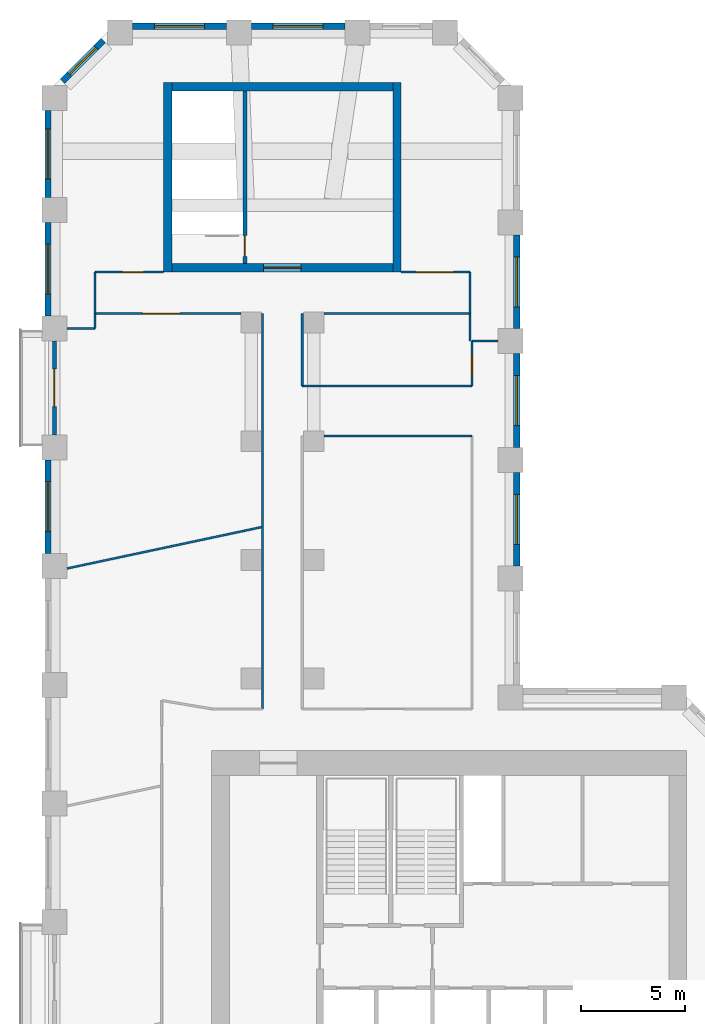
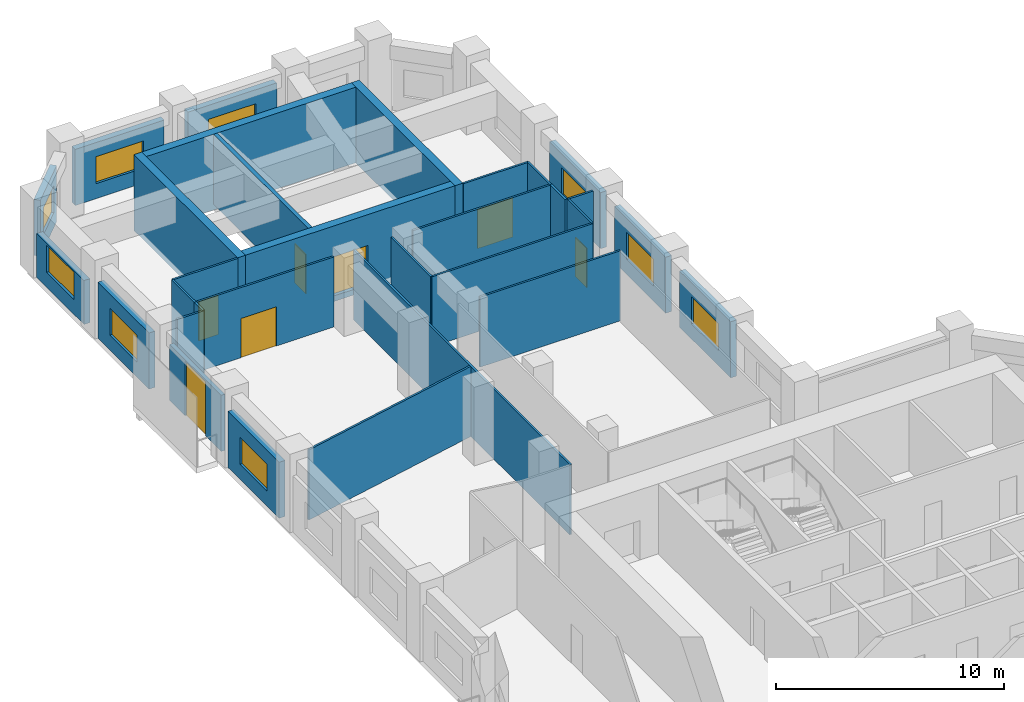
# One storey, part 8 of 10: 31 walls, 9 windows, 7 doors, 16 openings.
"""IFC4 building model written with IfcOpenShell, lengths in metres."""

from ifc_helpers import new_model, si_unit, direction, frame, frame_2d, origin, place, context, subcontext, project, spatial, rectangle, extrude, material, layer, layer_set, type_object, element, fill, save


model = new_model("IFC4")

# Units and contexts
model_context = context("Model", 3, precision=1e-05, world=origin(), true_north=direction((0.0, 1.0)))
body_context = subcontext(model_context, "Body", "Model", "MODEL_VIEW")
ifc_project = project(units=[si_unit("LENGTHUNIT", "METRE"), si_unit("AREAUNIT", "SQUARE_METRE"), si_unit("VOLUMEUNIT", "CUBIC_METRE"), si_unit("PLANEANGLEUNIT", "RADIAN"), si_unit("MASSUNIT", "GRAM", prefix="KILO")], contexts=[model_context])

# Site, building, storey
site_placement = place(None, origin())
site = spatial("IfcSite", under=ifc_project, at=site_placement, CompositionType="ELEMENT")
building_placement = place(site_placement, origin())
building = spatial("IfcBuilding", under=site, at=building_placement, Name="Meshkara Civic Tower", CompositionType="ELEMENT")
storey_placement = place(building_placement, frame((0.0, 0.0, 216.0)))
storey = spatial("IfcBuildingStorey", under=building, at=storey_placement, Name="L49", CompositionType="ELEMENT", Elevation=216.0)

# Wall, opening, door
ifc_material_1 = material(Name="Corridor wall 100")
ifc_layer_1 = layer(ifc_material_1, 0.10009765625)
ifc_layer_set_1 = layer_set([ifc_layer_1], Name="Corridor wall 100")
wall_type_1 = type_object("IfcWallType", Name="Corridor wall 100", PredefinedType="PARTITIONING", material=ifc_layer_set_1)
wall_1_placement = place(storey_placement, frame((2.39990234375, 57.8701171875, 0.0), z_axis=(0.0, 0.0, 1.0), x_axis=(1.0, 0.0, 0.0)))
wall_1 = element("IfcWall", 1, at=wall_1_placement, inside=storey, type_object=wall_type_1, Name="L49-W001", PredefinedType="PARTITIONING", context=body_context, shape_type="SweptSolid", body=[
    extrude(rectangle(XDim=7.0, YDim=0.10009765625, at=frame_2d((3.5, 0.0))), origin(), (0.0, 0.0, 1.0), 3.75),
])
opening_1_placement = place(wall_1_placement, frame((2.280029296875, 0.0, 0.0)))
opening_1 = element("IfcOpeningElement", 2, at=opening_1_placement, cuts=wall_1, Name="Opening L49-D020", PredefinedType="OPENING", context=body_context, shape_type="SweptSolid", body=[
    extrude(rectangle(XDim=1.800048828125, YDim=2.10009765625, at=frame_2d((0.89990234375, 1.050048828125))), frame((0.0, 0.06005859375, 0.0), z_axis=(0.0, -1.0, 0.0), x_axis=(1.0, 0.0, 0.0)), (0.0, 0.0, 1.0), 0.1201171875),
])
ifc_material_2 = material(Name="Door pair 1800 x 2100")
door_type_1 = type_object("IfcDoorType", Name="Door pair 1800 x 2100", OperationType="SINGLE_SWING_LEFT", PredefinedType="DOOR", material=ifc_material_2)
door_1_placement = place(opening_1_placement, origin())
door_1 = element("IfcDoor", 3, at=door_1_placement, inside=storey, type_object=door_type_1, Name="L49-D020", OperationType="DOUBLE_DOOR_SINGLE_SWING", OverallHeight=2.10009765625, OverallWidth=1.800048828125, PredefinedType="DOOR", context=body_context, shape_type="SweptSolid", body=[
    extrude(rectangle(XDim=1.800048828125, YDim=2.10009765625, at=frame_2d((0.89990234375, 1.050048828125))), frame((0.0, 0.02490234375, 0.0), z_axis=(0.0, -1.0, 0.0), x_axis=(1.0, 0.0, 0.0)), (0.0, 0.0, 1.0), 0.050048828125),
])
fill(opening_1, door_1)

# Wall
wall_2_placement = place(storey_placement, frame((2.39990234375, 59.8701171875, 0.0), z_axis=(0.0, 0.0, 1.0), x_axis=(0.0, -1.0, 0.0)))
element("IfcWall", 4, at=wall_2_placement, inside=storey, type_object=wall_type_1, Name="L49-W002", PredefinedType="PARTITIONING", context=body_context, shape_type="SweptSolid", body=[
    extrude(rectangle(XDim=2.0, YDim=0.10009765625, at=frame_2d((1.0, 0.0))), origin(), (0.0, 0.0, 1.0), 3.75),
])

# Wall, opening, door
wall_3_placement = place(storey_placement, frame((5.699951171875, 59.8701171875, 0.0), z_axis=(0.0, 0.0, 1.0), x_axis=(-1.0, 0.0, 0.0)))
wall_3 = element("IfcWall", 5, at=wall_3_placement, inside=storey, type_object=wall_type_1, Name="L49-W005", PredefinedType="PARTITIONING", context=body_context, shape_type="SweptSolid", body=[
    extrude(rectangle(XDim=3.300048828125, YDim=0.10009765625, at=frame_2d((1.64990234375, 0.0))), origin(), (0.0, 0.0, 1.0), 3.75),
])
opening_2_placement = place(wall_3_placement, frame((0.97998046875, 0.0, 0.0)))
opening_2 = element("IfcOpeningElement", 6, at=opening_2_placement, cuts=wall_3, Name="Opening L49-D019", PredefinedType="OPENING", context=body_context, shape_type="SweptSolid", body=[
    extrude(rectangle(XDim=1.0, YDim=2.10009765625, at=frame_2d((0.5, 1.050048828125))), frame((0.0, 0.06005859375, 0.0), z_axis=(0.0, -1.0, 0.0), x_axis=(1.0, 0.0, 0.0)), (0.0, 0.0, 1.0), 0.1201171875),
])
ifc_material_3 = material(Name="Door 1000 x 2100")
door_type_2 = type_object("IfcDoorType", Name="Door 1000 x 2100", OperationType="SINGLE_SWING_LEFT", PredefinedType="DOOR", material=ifc_material_3)
door_2_placement = place(opening_2_placement, origin())
door_2 = element("IfcDoor", 7, at=door_2_placement, inside=storey, type_object=door_type_2, Name="L49-D019", OperationType="SINGLE_SWING_RIGHT", OverallHeight=2.10009765625, OverallWidth=1.0, PredefinedType="DOOR", context=body_context, shape_type="SweptSolid", body=[
    extrude(rectangle(XDim=1.0, YDim=2.10009765625, at=frame_2d((0.5, 1.050048828125))), frame((0.0, 0.02490234375, 0.0), z_axis=(0.0, -1.0, 0.0), x_axis=(1.0, 0.0, 0.0)), (0.0, 0.0, 1.0), 0.050048828125),
])
fill(opening_2, door_2)

# Walls
wall_4_placement = place(storey_placement, frame((10.449951171875, 57.8701171875, 0.0), z_axis=(0.0, 0.0, 1.0), x_axis=(0.0, -1.0, 0.0)))
element("IfcWall", 8, at=wall_4_placement, inside=storey, type_object=wall_type_1, Name="L49-W013", PredefinedType="PARTITIONING", context=body_context, shape_type="SweptSolid", body=[
    extrude(rectangle(XDim=18.97021484375, YDim=0.10009765625, at=frame_2d((9.485107421875, 0.0))), origin(), (0.0, 0.0, 1.0), 3.75),
])
wall_5_placement = place(storey_placement, frame((12.35009765625, 54.39990234375, 0.0), z_axis=(0.0, 0.0, 1.0), x_axis=(0.0, 1.0, 0.0)))
element("IfcWall", 9, at=wall_5_placement, inside=storey, type_object=wall_type_1, Name="L49-W015", PredefinedType="PARTITIONING", context=body_context, shape_type="SweptSolid", body=[
    extrude(rectangle(XDim=3.47021484375, YDim=0.10009765625, at=frame_2d((1.735107421875, 0.0))), origin(), (0.0, 0.0, 1.0), 3.75),
])
wall_6_placement = place(storey_placement, frame((13.39990234375, 52.0, 0.0), z_axis=(0.0, 0.0, 1.0), x_axis=(1.0, 0.0, 0.0)))
element("IfcWall", 10, at=wall_6_placement, inside=storey, type_object=wall_type_1, Name="L49-W017", PredefinedType="PARTITIONING", context=body_context, shape_type="SweptSolid", body=[
    extrude(rectangle(XDim=7.10009765625, YDim=0.10009765625, at=frame_2d((3.550048828125, 0.0))), origin(), (0.0, 0.0, 1.0), 3.75),
])
wall_7_placement = place(storey_placement, frame((13.39990234375, 57.8701171875, 0.0), z_axis=(0.0, 0.0, 1.0), x_axis=(1.0, 0.0, 0.0)))
element("IfcWall", 11, at=wall_7_placement, inside=storey, type_object=wall_type_1, Name="L49-W018", PredefinedType="PARTITIONING", context=body_context, shape_type="SweptSolid", body=[
    extrude(rectangle(XDim=7.0, YDim=0.10009765625, at=frame_2d((3.5, 0.0))), origin(), (0.0, 0.0, 1.0), 3.75),
])
wall_8_placement = place(storey_placement, frame((20.39990234375, 57.8701171875, 0.0), z_axis=(0.0, 0.0, 1.0), x_axis=(0.0, 1.0, 0.0)))
element("IfcWall", 12, at=wall_8_placement, inside=storey, type_object=wall_type_1, Name="L49-W019", PredefinedType="PARTITIONING", context=body_context, shape_type="SweptSolid", body=[
    extrude(rectangle(XDim=2.0, YDim=0.10009765625, at=frame_2d((1.0, 0.0))), origin(), (0.0, 0.0, 1.0), 3.75),
])

# Wall, opening, door
wall_9_placement = place(storey_placement, frame((20.39990234375, 59.8701171875, 0.0), z_axis=(0.0, 0.0, 1.0), x_axis=(-1.0, 0.0, 0.0)))
wall_9 = element("IfcWall", 13, at=wall_9_placement, inside=storey, type_object=wall_type_1, Name="L49-W020", PredefinedType="PARTITIONING", context=body_context, shape_type="SweptSolid", body=[
    extrude(rectangle(XDim=3.2998046875, YDim=0.10009765625, at=frame_2d((1.64990234375, 0.0))), origin(), (0.0, 0.0, 1.0), 3.75),
])
opening_3_placement = place(wall_9_placement, frame((0.780029296875, 0.0, 0.0)))
opening_3 = element("IfcOpeningElement", 14, at=opening_3_placement, cuts=wall_9, Name="Opening L49-D021", PredefinedType="OPENING", context=body_context, shape_type="SweptSolid", body=[
    extrude(rectangle(XDim=1.800048828125, YDim=2.10009765625, at=frame_2d((0.89990234375, 1.050048828125))), frame((0.0, 0.06005859375, 0.0), z_axis=(0.0, -1.0, 0.0), x_axis=(1.0, 0.0, 0.0)), (0.0, 0.0, 1.0), 0.1201171875),
])
door_3_placement = place(opening_3_placement, origin())
door_3 = element("IfcDoor", 15, at=door_3_placement, inside=storey, type_object=door_type_1, Name="L49-D021", OperationType="DOUBLE_DOOR_SINGLE_SWING", OverallHeight=2.10009765625, OverallWidth=1.800048828125, PredefinedType="DOOR", context=body_context, shape_type="SweptSolid", body=[
    extrude(rectangle(XDim=1.800048828125, YDim=2.10009765625, at=frame_2d((0.89990234375, 1.050048828125))), frame((0.0, 0.02490234375, 0.0), z_axis=(0.0, -1.0, 0.0), x_axis=(1.0, 0.0, 0.0)), (0.0, 0.0, 1.0), 0.050048828125),
])
fill(opening_3, door_3)

# Wall
wall_10_placement = place(storey_placement, frame((20.5, 54.39990234375, 0.0), z_axis=(0.0, 0.0, 1.0), x_axis=(-1.0, 0.0, 0.0)))
element("IfcWall", 16, at=wall_10_placement, inside=storey, type_object=wall_type_1, Name="L49-W023", PredefinedType="PARTITIONING", context=body_context, shape_type="SweptSolid", body=[
    extrude(rectangle(XDim=8.14990234375, YDim=0.10009765625, at=frame_2d((4.074951171875, 0.0))), origin(), (0.0, 0.0, 1.0), 3.75),
])

# Wall, opening, door
wall_11_placement = place(storey_placement, frame((20.5, 56.550048828125, 0.0), z_axis=(0.0, 0.0, 1.0), x_axis=(0.0, -1.0, 0.0)))
wall_11 = element("IfcWall", 17, at=wall_11_placement, inside=storey, type_object=wall_type_1, Name="L49-W024", PredefinedType="PARTITIONING", context=body_context, shape_type="SweptSolid", body=[
    extrude(rectangle(XDim=2.150146484375, YDim=0.10009765625, at=frame_2d((1.0751953125, 0.0))), origin(), (0.0, 0.0, 1.0), 3.75),
])
opening_4_placement = place(wall_11_placement, frame((0.679931640625, 0.0, 0.0)))
opening_4 = element("IfcOpeningElement", 18, at=opening_4_placement, cuts=wall_11, Name="Opening L49-D022", PredefinedType="OPENING", context=body_context, shape_type="SweptSolid", body=[
    extrude(rectangle(XDim=1.0, YDim=2.10009765625, at=frame_2d((0.5, 1.050048828125))), frame((0.0, 0.06005859375, 0.0), z_axis=(0.0, -1.0, 0.0), x_axis=(1.0, 0.0, 0.0)), (0.0, 0.0, 1.0), 0.1201171875),
])
door_4_placement = place(opening_4_placement, origin())
door_4 = element("IfcDoor", 19, at=door_4_placement, inside=storey, type_object=door_type_2, Name="L49-D022", OperationType="SINGLE_SWING_LEFT", OverallHeight=2.10009765625, OverallWidth=1.0, PredefinedType="DOOR", context=body_context, shape_type="SweptSolid", body=[
    extrude(rectangle(XDim=1.0, YDim=2.10009765625, at=frame_2d((0.5, 1.050048828125))), frame((0.0, 0.02490234375, 0.0), z_axis=(0.0, -1.0, 0.0), x_axis=(1.0, 0.0, 0.0)), (0.0, 0.0, 1.0), 0.050048828125),
])
fill(opening_4, door_4)

# Wall
wall_12_placement = place(storey_placement, frame((21.75, 56.550048828125, 0.0), z_axis=(0.0, 0.0, 1.0), x_axis=(-1.0, 0.0, 0.0)))
element("IfcWall", 20, at=wall_12_placement, inside=storey, type_object=wall_type_1, Name="L49-W025", PredefinedType="PARTITIONING", context=body_context, shape_type="SweptSolid", body=[
    extrude(rectangle(XDim=1.25, YDim=0.10009765625, at=frame_2d((0.625, 0.0))), origin(), (0.0, 0.0, 1.0), 3.75),
])

# Wall, opening, window
ifc_material_4 = material(Name="Insulated infill panel with bronze anodised aluminium cladding", Category="aluminium")
ifc_layer_2 = layer(ifc_material_4, 0.300048828125)
ifc_layer_set_2 = layer_set([ifc_layer_2], Name="EXTERNAL INFILL WALL 300")
wall_type_2 = type_object("IfcWallType", Name="EXTERNAL INFILL WALL 300", PredefinedType="SOLIDWALL", material=ifc_layer_set_2)
wall_13_placement = place(storey_placement, frame((22.64990234375, 45.75, 0.0), z_axis=(0.0, 0.0, 1.0), x_axis=(0.0, 1.0, 0.0)))
wall_13 = element("IfcWall", 21, at=wall_13_placement, inside=storey, type_object=wall_type_2, Name="External wall", PredefinedType="SOLIDWALL", context=body_context, shape_type="SweptSolid", body=[
    extrude(rectangle(XDim=4.5, YDim=0.300048828125, at=frame_2d((2.25, 0.0))), origin(), (0.0, 0.0, 1.0), 3.0),
])
opening_5_placement = place(wall_13_placement, frame((1.050048828125, 0.0, 0.800048828125)))
opening_5 = element("IfcOpeningElement", 22, at=opening_5_placement, cuts=wall_13, Name="Opening W8", PredefinedType="OPENING", context=body_context, shape_type="SweptSolid", body=[
    extrude(rectangle(XDim=2.39990234375, YDim=1.449951171875, at=frame_2d((1.199951171875, 0.72509765625))), frame((0.0, 0.159912109375, 0.0), z_axis=(0.0, -1.0, 0.0), x_axis=(1.0, 0.0, 0.0)), (0.0, 0.0, 1.0), 0.320068359375),
])
ifc_material_5 = material(Name="Tinted double glazing", Category="glass")
window_type_1 = type_object("IfcWindowType", Name="WINDOW 2400x1450", PartitioningType="DOUBLE_PANEL_VERTICAL", PredefinedType="WINDOW", material=ifc_material_5)
window_1_placement = place(opening_5_placement, origin())
window_1 = element("IfcWindow", 23, at=window_1_placement, inside=storey, type_object=window_type_1, Name="Window", OverallHeight=1.449951171875, OverallWidth=2.39990234375, PartitioningType="DOUBLE_PANEL_VERTICAL", PredefinedType="WINDOW", context=body_context, shape_type="SweptSolid", body=[
    extrude(rectangle(XDim=2.39990234375, YDim=1.449951171875, at=frame_2d((1.199951171875, 0.72509765625))), frame((0.0, 0.030029296875, 0.0), z_axis=(0.0, -1.0, 0.0), x_axis=(1.0, 0.0, 0.0)), (0.0, 0.0, 1.0), 0.06005859375),
])
fill(opening_5, window_1)

wall_14_placement = place(storey_placement, frame((22.64990234375, 51.449951171875, 0.0), z_axis=(0.0, 0.0, 1.0), x_axis=(0.0, 1.0, 0.0)))
wall_14 = element("IfcWall", 24, at=wall_14_placement, inside=storey, type_object=wall_type_2, Name="External wall", PredefinedType="SOLIDWALL", context=body_context, shape_type="SweptSolid", body=[
    extrude(rectangle(XDim=4.5, YDim=0.300048828125, at=frame_2d((2.25, 0.0))), origin(), (0.0, 0.0, 1.0), 3.0),
])
opening_6_placement = place(wall_14_placement, frame((1.050048828125, 0.0, 0.800048828125)))
opening_6 = element("IfcOpeningElement", 25, at=opening_6_placement, cuts=wall_14, Name="Opening W8", PredefinedType="OPENING", context=body_context, shape_type="SweptSolid", body=[
    extrude(rectangle(XDim=2.39990234375, YDim=1.449951171875, at=frame_2d((1.199951171875, 0.72509765625))), frame((0.0, 0.159912109375, 0.0), z_axis=(0.0, -1.0, 0.0), x_axis=(1.0, 0.0, 0.0)), (0.0, 0.0, 1.0), 0.320068359375),
])
window_2_placement = place(opening_6_placement, origin())
window_2 = element("IfcWindow", 26, at=window_2_placement, inside=storey, type_object=window_type_1, Name="Window", OverallHeight=1.449951171875, OverallWidth=2.39990234375, PartitioningType="DOUBLE_PANEL_VERTICAL", PredefinedType="WINDOW", context=body_context, shape_type="SweptSolid", body=[
    extrude(rectangle(XDim=2.39990234375, YDim=1.449951171875, at=frame_2d((1.199951171875, 0.72509765625))), frame((0.0, 0.030029296875, 0.0), z_axis=(0.0, -1.0, 0.0), x_axis=(1.0, 0.0, 0.0)), (0.0, 0.0, 1.0), 0.06005859375),
])
fill(opening_6, window_2)

wall_15_placement = place(storey_placement, frame((22.64990234375, 57.14990234375, 0.0), z_axis=(0.0, 0.0, 1.0), x_axis=(0.0, 1.0, 0.0)))
wall_15 = element("IfcWall", 27, at=wall_15_placement, inside=storey, type_object=wall_type_2, Name="External wall", PredefinedType="SOLIDWALL", context=body_context, shape_type="SweptSolid", body=[
    extrude(rectangle(XDim=4.5, YDim=0.300048828125, at=frame_2d((2.25, 0.0))), origin(), (0.0, 0.0, 1.0), 3.0),
])
opening_7_placement = place(wall_15_placement, frame((1.050048828125, 0.0, 0.800048828125)))
opening_7 = element("IfcOpeningElement", 28, at=opening_7_placement, cuts=wall_15, Name="Opening W8", PredefinedType="OPENING", context=body_context, shape_type="SweptSolid", body=[
    extrude(rectangle(XDim=2.39990234375, YDim=1.449951171875, at=frame_2d((1.199951171875, 0.72509765625))), frame((0.0, 0.159912109375, 0.0), z_axis=(0.0, -1.0, 0.0), x_axis=(1.0, 0.0, 0.0)), (0.0, 0.0, 1.0), 0.320068359375),
])
window_3_placement = place(opening_7_placement, origin())
window_3 = element("IfcWindow", 29, at=window_3_placement, inside=storey, type_object=window_type_1, Name="Window", OverallHeight=1.449951171875, OverallWidth=2.39990234375, PartitioningType="DOUBLE_PANEL_VERTICAL", PredefinedType="WINDOW", context=body_context, shape_type="SweptSolid", body=[
    extrude(rectangle(XDim=2.39990234375, YDim=1.449951171875, at=frame_2d((1.199951171875, 0.72509765625))), frame((0.0, 0.030029296875, 0.0), z_axis=(0.0, -1.0, 0.0), x_axis=(1.0, 0.0, 0.0)), (0.0, 0.0, 1.0), 0.06005859375),
])
fill(opening_7, window_3)

wall_16_placement = place(storey_placement, frame((14.406005859375, 71.669921875, 0.0), z_axis=(0.0, 0.0, 1.0), x_axis=(-1.0, 0.0, 0.0)))
wall_16 = element("IfcWall", 30, at=wall_16_placement, inside=storey, type_object=wall_type_2, Name="External wall", PredefinedType="SOLIDWALL", context=body_context, shape_type="SweptSolid", body=[
    extrude(rectangle(XDim=4.5, YDim=0.300048828125, at=frame_2d((2.25, 0.0))), origin(), (0.0, 0.0, 1.0), 3.0),
])
opening_8_placement = place(wall_16_placement, frame((1.050048828125, 0.0, 0.800048828125)))
opening_8 = element("IfcOpeningElement", 31, at=opening_8_placement, cuts=wall_16, Name="Opening W8", PredefinedType="OPENING", context=body_context, shape_type="SweptSolid", body=[
    extrude(rectangle(XDim=2.39990234375, YDim=1.449951171875, at=frame_2d((1.199951171875, 0.72509765625))), frame((0.0, 0.159912109375, 0.0), z_axis=(0.0, -1.0, 0.0), x_axis=(1.0, 0.0, 0.0)), (0.0, 0.0, 1.0), 0.320068359375),
])
window_4_placement = place(opening_8_placement, origin())
window_4 = element("IfcWindow", 32, at=window_4_placement, inside=storey, type_object=window_type_1, Name="Window", OverallHeight=1.449951171875, OverallWidth=2.39990234375, PartitioningType="DOUBLE_PANEL_VERTICAL", PredefinedType="WINDOW", context=body_context, shape_type="SweptSolid", body=[
    extrude(rectangle(XDim=2.39990234375, YDim=1.449951171875, at=frame_2d((1.199951171875, 0.72509765625))), frame((0.0, 0.030029296875, 0.0), z_axis=(0.0, -1.0, 0.0), x_axis=(1.0, 0.0, 0.0)), (0.0, 0.0, 1.0), 0.06005859375),
])
fill(opening_8, window_4)

wall_17_placement = place(storey_placement, frame((8.7060546875, 71.669921875, 0.0), z_axis=(0.0, 0.0, 1.0), x_axis=(-1.0, 0.0, 0.0)))
wall_17 = element("IfcWall", 33, at=wall_17_placement, inside=storey, type_object=wall_type_2, Name="External wall", PredefinedType="SOLIDWALL", context=body_context, shape_type="SweptSolid", body=[
    extrude(rectangle(XDim=4.5, YDim=0.300048828125, at=frame_2d((2.25, 0.0))), origin(), (0.0, 0.0, 1.0), 3.0),
])
opening_9_placement = place(wall_17_placement, frame((1.050048828125, 0.0, 0.800048828125)))
opening_9 = element("IfcOpeningElement", 34, at=opening_9_placement, cuts=wall_17, Name="Opening W8", PredefinedType="OPENING", context=body_context, shape_type="SweptSolid", body=[
    extrude(rectangle(XDim=2.39990234375, YDim=1.449951171875, at=frame_2d((1.199951171875, 0.72509765625))), frame((0.0, 0.159912109375, 0.0), z_axis=(0.0, -1.0, 0.0), x_axis=(1.0, 0.0, 0.0)), (0.0, 0.0, 1.0), 0.320068359375),
])
window_5_placement = place(opening_9_placement, origin())
window_5 = element("IfcWindow", 35, at=window_5_placement, inside=storey, type_object=window_type_1, Name="Window", OverallHeight=1.449951171875, OverallWidth=2.39990234375, PartitioningType="DOUBLE_PANEL_VERTICAL", PredefinedType="WINDOW", context=body_context, shape_type="SweptSolid", body=[
    extrude(rectangle(XDim=2.39990234375, YDim=1.449951171875, at=frame_2d((1.199951171875, 0.72509765625))), frame((0.0, 0.030029296875, 0.0), z_axis=(0.0, -1.0, 0.0), x_axis=(1.0, 0.0, 0.0)), (0.0, 0.0, 1.0), 0.06005859375),
])
fill(opening_9, window_5)

wall_18_placement = place(storey_placement, frame((2.7939453125, 70.98193359375, 0.0), z_axis=(0.0, 0.0, 1.0), x_axis=(-0.707106781187, -0.707106781187, 0.0)))
wall_18 = element("IfcWall", 36, at=wall_18_placement, inside=storey, type_object=wall_type_2, Name="External wall", PredefinedType="SOLIDWALL", context=body_context, shape_type="SweptSolid", body=[
    extrude(rectangle(XDim=2.766357421875, YDim=0.300048828125, at=frame_2d((1.38330078125, 0.0))), origin(), (0.0, 0.0, 1.0), 3.0),
])
opening_10_placement = place(wall_18_placement, frame((0.48291015625, 0.0, 0.800048828125)))
opening_10 = element("IfcOpeningElement", 37, at=opening_10_placement, cuts=wall_18, Name="Opening W10", PredefinedType="OPENING", context=body_context, shape_type="SweptSolid", body=[
    extrude(rectangle(XDim=1.800048828125, YDim=1.449951171875, at=frame_2d((0.89990234375, 0.72509765625))), frame((0.0, 0.159912109375, 0.0), z_axis=(0.0, -1.0, 0.0), x_axis=(1.0, 0.0, 0.0)), (0.0, 0.0, 1.0), 0.320068359375),
])
ifc_material_6 = material(Name="Tinted double glazing", Category="glass")
window_type_2 = type_object("IfcWindowType", Name="WINDOW 1800x1450", PartitioningType="DOUBLE_PANEL_VERTICAL", PredefinedType="WINDOW", material=ifc_material_6)
window_6_placement = place(opening_10_placement, origin())
window_6 = element("IfcWindow", 38, at=window_6_placement, inside=storey, type_object=window_type_2, Name="Window", OverallHeight=1.449951171875, OverallWidth=1.800048828125, PartitioningType="DOUBLE_PANEL_VERTICAL", PredefinedType="WINDOW", context=body_context, shape_type="SweptSolid", body=[
    extrude(rectangle(XDim=1.800048828125, YDim=1.449951171875, at=frame_2d((0.89990234375, 0.72509765625))), frame((0.0, 0.030029296875, 0.0), z_axis=(0.0, -1.0, 0.0), x_axis=(1.0, 0.0, 0.0)), (0.0, 0.0, 1.0), 0.06005859375),
])
fill(opening_10, window_6)

wall_19_placement = place(storey_placement, frame((0.14990234375, 67.614013671875, 0.0), z_axis=(0.0, 0.0, 1.0), x_axis=(0.0, -1.0, 0.0)))
wall_19 = element("IfcWall", 39, at=wall_19_placement, inside=storey, type_object=wall_type_2, Name="External wall", PredefinedType="SOLIDWALL", context=body_context, shape_type="SweptSolid", body=[
    extrude(rectangle(XDim=4.158935546875, YDim=0.300048828125, at=frame_2d((2.07958984375, 0.0))), origin(), (0.0, 0.0, 1.0), 2.35009765625),
])
opening_11_placement = place(wall_19_placement, frame((0.8798828125, 0.0, 0.800048828125)))
opening_11 = element("IfcOpeningElement", 40, at=opening_11_placement, cuts=wall_19, Name="Opening W8", PredefinedType="OPENING", context=body_context, shape_type="SweptSolid", body=[
    extrude(rectangle(XDim=2.39990234375, YDim=1.449951171875, at=frame_2d((1.199951171875, 0.72509765625))), frame((0.0, 0.159912109375, 0.0), z_axis=(0.0, -1.0, 0.0), x_axis=(1.0, 0.0, 0.0)), (0.0, 0.0, 1.0), 0.320068359375),
])
window_7_placement = place(opening_11_placement, origin())
window_7 = element("IfcWindow", 41, at=window_7_placement, inside=storey, type_object=window_type_1, Name="Window", OverallHeight=1.449951171875, OverallWidth=2.39990234375, PartitioningType="DOUBLE_PANEL_VERTICAL", PredefinedType="WINDOW", context=body_context, shape_type="SweptSolid", body=[
    extrude(rectangle(XDim=2.39990234375, YDim=1.449951171875, at=frame_2d((1.199951171875, 0.72509765625))), frame((0.0, 0.030029296875, 0.0), z_axis=(0.0, -1.0, 0.0), x_axis=(1.0, 0.0, 0.0)), (0.0, 0.0, 1.0), 0.06005859375),
])
fill(opening_11, window_7)

wall_20_placement = place(storey_placement, frame((0.14990234375, 62.2548828125, 0.0), z_axis=(0.0, 0.0, 1.0), x_axis=(0.0, -1.0, 0.0)))
wall_20 = element("IfcWall", 42, at=wall_20_placement, inside=storey, type_object=wall_type_2, Name="External wall", PredefinedType="SOLIDWALL", context=body_context, shape_type="SweptSolid", body=[
    extrude(rectangle(XDim=4.5, YDim=0.300048828125, at=frame_2d((2.25, 0.0))), origin(), (0.0, 0.0, 1.0), 3.0),
])
opening_12_placement = place(wall_20_placement, frame((1.050048828125, 0.0, 0.800048828125)))
opening_12 = element("IfcOpeningElement", 43, at=opening_12_placement, cuts=wall_20, Name="Opening W8", PredefinedType="OPENING", context=body_context, shape_type="SweptSolid", body=[
    extrude(rectangle(XDim=2.39990234375, YDim=1.449951171875, at=frame_2d((1.199951171875, 0.72509765625))), frame((0.0, 0.159912109375, 0.0), z_axis=(0.0, -1.0, 0.0), x_axis=(1.0, 0.0, 0.0)), (0.0, 0.0, 1.0), 0.320068359375),
])
window_8_placement = place(opening_12_placement, origin())
window_8 = element("IfcWindow", 44, at=window_8_placement, inside=storey, type_object=window_type_1, Name="Window", OverallHeight=1.449951171875, OverallWidth=2.39990234375, PartitioningType="DOUBLE_PANEL_VERTICAL", PredefinedType="WINDOW", context=body_context, shape_type="SweptSolid", body=[
    extrude(rectangle(XDim=2.39990234375, YDim=1.449951171875, at=frame_2d((1.199951171875, 0.72509765625))), frame((0.0, 0.030029296875, 0.0), z_axis=(0.0, -1.0, 0.0), x_axis=(1.0, 0.0, 0.0)), (0.0, 0.0, 1.0), 0.06005859375),
])
fill(opening_12, window_8)

wall_21_placement = place(storey_placement, frame((0.14990234375, 50.85498046875, 0.0), z_axis=(0.0, 0.0, 1.0), x_axis=(0.0, -1.0, 0.0)))
wall_21 = element("IfcWall", 45, at=wall_21_placement, inside=storey, type_object=wall_type_2, Name="External wall", PredefinedType="SOLIDWALL", context=body_context, shape_type="SweptSolid", body=[
    extrude(rectangle(XDim=4.5, YDim=0.300048828125, at=frame_2d((2.25, 0.0))), origin(), (0.0, 0.0, 1.0), 3.0),
])
opening_13_placement = place(wall_21_placement, frame((1.050048828125, 0.0, 0.800048828125)))
opening_13 = element("IfcOpeningElement", 46, at=opening_13_placement, cuts=wall_21, Name="Opening W8", PredefinedType="OPENING", context=body_context, shape_type="SweptSolid", body=[
    extrude(rectangle(XDim=2.39990234375, YDim=1.449951171875, at=frame_2d((1.199951171875, 0.72509765625))), frame((0.0, 0.159912109375, 0.0), z_axis=(0.0, -1.0, 0.0), x_axis=(1.0, 0.0, 0.0)), (0.0, 0.0, 1.0), 0.320068359375),
])
window_9_placement = place(opening_13_placement, origin())
window_9 = element("IfcWindow", 47, at=window_9_placement, inside=storey, type_object=window_type_1, Name="Window", OverallHeight=1.449951171875, OverallWidth=2.39990234375, PartitioningType="DOUBLE_PANEL_VERTICAL", PredefinedType="WINDOW", context=body_context, shape_type="SweptSolid", body=[
    extrude(rectangle(XDim=2.39990234375, YDim=1.449951171875, at=frame_2d((1.199951171875, 0.72509765625))), frame((0.0, 0.030029296875, 0.0), z_axis=(0.0, -1.0, 0.0), x_axis=(1.0, 0.0, 0.0)), (0.0, 0.0, 1.0), 0.06005859375),
])
fill(opening_13, window_9)

# Walls
ifc_material_7 = material(Name="Concrete C70", Category="concrete")
ifc_layer_3 = layer(ifc_material_7, 0.39990234375)
ifc_layer_set_3 = layer_set([ifc_layer_3], Name="End core ring wall 400 C70")
wall_type_3 = type_object("IfcWallType", Name="End core ring wall 400 C70", PredefinedType="SHEAR", material=ifc_layer_set_3)
for number, where, z_axis, x_axis, name in (
    (48, (5.89990234375, 59.8701171875, -0.300048828125), (0.0, 0.0, 1.0), (0.0, 1.0, 0.0), "L49-C023"),
    (49, (16.89990234375, 59.8701171875, -0.300048828125), (0.0, 0.0, 1.0), (0.0, 1.0, 0.0), "L49-C024"),
):
    element("IfcWall", number, at=place(storey_placement, frame(where, z_axis=z_axis, x_axis=x_axis)), inside=storey, type_object=wall_type_3, Name=name, PredefinedType="SHEAR", context=body_context, shape_type="SweptSolid", body=[
        extrude(rectangle(XDim=9.099853515625, YDim=0.39990234375, at=frame_2d((4.5498046875, 0.0))), origin(), (0.0, 0.0, 1.0), 4.050048828125),
    ])

# Wall, opening, door
wall_22_placement = place(storey_placement, frame((6.10009765625, 60.070068359375, -0.300048828125), z_axis=(0.0, 0.0, 1.0), x_axis=(1.0, 0.0, 0.0)))
wall_22 = element("IfcWall", 50, at=wall_22_placement, inside=storey, type_object=wall_type_3, Name="L49-C025", PredefinedType="SHEAR", context=body_context, shape_type="SweptSolid", body=[
    extrude(rectangle(XDim=10.599853515625, YDim=0.39990234375, at=frame_2d((5.2998046875, 0.0))), origin(), (0.0, 0.0, 1.0), 4.050048828125),
])
opening_14_placement = place(wall_22_placement, frame((4.39990234375, 0.0, 0.300048828125)))
opening_14 = element("IfcOpeningElement", 51, at=opening_14_placement, cuts=wall_22, Name="Opening L49-K102", PredefinedType="OPENING", context=body_context, shape_type="SweptSolid", body=[
    extrude(rectangle(XDim=1.800048828125, YDim=2.10009765625, at=frame_2d((0.89990234375, 1.050048828125))), frame((0.0, 0.2099609375, 0.0), z_axis=(0.0, -1.0, 0.0), x_axis=(1.0, 0.0, 0.0)), (0.0, 0.0, 1.0), 0.419921875),
])
ifc_material_8 = material(Name="Fire-rated door leaf in steel frame", Category="steel")
door_type_3 = type_object("IfcDoorType", Name="Core double door 1800 EI 60", OperationType="DOUBLE_DOOR_SINGLE_SWING", PredefinedType="DOOR", material=ifc_material_8)
door_5_placement = place(opening_14_placement, origin())
door_5 = element("IfcDoor", 52, at=door_5_placement, inside=storey, type_object=door_type_3, Name="L49-K102", OperationType="DOUBLE_DOOR_SINGLE_SWING", OverallHeight=2.10009765625, OverallWidth=1.800048828125, PredefinedType="DOOR", context=body_context, shape_type="SweptSolid", body=[
    extrude(rectangle(XDim=1.800048828125, YDim=2.10009765625, at=frame_2d((0.89990234375, 1.050048828125))), frame((0.0, 0.02490234375, 0.0), z_axis=(0.0, -1.0, 0.0), x_axis=(1.0, 0.0, 0.0)), (0.0, 0.0, 1.0), 0.050048828125),
])
fill(opening_14, door_5)

# Wall
wall_23_placement = place(storey_placement, frame((6.10009765625, 68.77001953125, -0.300048828125), z_axis=(0.0, 0.0, 1.0), x_axis=(1.0, 0.0, 0.0)))
element("IfcWall", 53, at=wall_23_placement, inside=storey, type_object=wall_type_3, Name="L49-C026", PredefinedType="SHEAR", context=body_context, shape_type="SweptSolid", body=[
    extrude(rectangle(XDim=10.599853515625, YDim=0.39990234375, at=frame_2d((5.2998046875, 0.0))), origin(), (0.0, 0.0, 1.0), 4.050048828125),
])

# Wall, opening, door
ifc_material_9 = material(Name="Insulated infill panel with bronze anodised aluminium cladding", Category="aluminium")
ifc_layer_4 = layer(ifc_material_9, 0.199951171875)
ifc_layer_set_4 = layer_set([ifc_layer_4], Name="LOGGIA BACK WALL 200")
wall_type_4 = type_object("IfcWallType", Name="LOGGIA BACK WALL 200", PredefinedType="SOLIDWALL", material=ifc_layer_set_4)
wall_24_placement = place(storey_placement, frame((0.449951171875, 56.554931640625, 0.0), z_axis=(0.0, 0.0, 1.0), x_axis=(0.0, -1.0, 0.0)))
wall_24 = element("IfcWall", 54, at=wall_24_placement, inside=storey, type_object=wall_type_4, Name="Loggia wall", PredefinedType="SOLIDWALL", context=body_context, shape_type="SweptSolid", body=[
    extrude(rectangle(XDim=4.5, YDim=0.199951171875, at=frame_2d((2.25, 0.0))), origin(), (0.0, 0.0, 1.0), 3.0),
])
opening_15_placement = place(wall_24_placement, frame((1.35009765625, 0.0, 0.0)))
opening_15 = element("IfcOpeningElement", 55, at=opening_15_placement, cuts=wall_24, Name="Opening L49-L001", PredefinedType="OPENING", context=body_context, shape_type="SweptSolid", body=[
    extrude(rectangle(XDim=1.800048828125, YDim=2.89990234375, at=frame_2d((0.89990234375, 1.449951171875))), frame((0.0, 0.10986328125, 0.0), z_axis=(0.0, -1.0, 0.0), x_axis=(1.0, 0.0, 0.0)), (0.0, 0.0, 1.0), 0.219970703125),
])
ifc_material_10 = material(Name="Tinted double glazing", Category="glass")
door_type_4 = type_object("IfcDoorType", Name="LOGGIA DOOR 1800x2900", OperationType="DOUBLE_DOOR_SINGLE_SWING", PredefinedType="DOOR", material=ifc_material_10)
door_6_placement = place(opening_15_placement, origin())
door_6 = element("IfcDoor", 56, at=door_6_placement, inside=storey, type_object=door_type_4, Name="L49-L001", OperationType="DOUBLE_DOOR_SINGLE_SWING", OverallHeight=2.89990234375, OverallWidth=1.800048828125, PredefinedType="DOOR", context=body_context, shape_type="SweptSolid", body=[
    extrude(rectangle(XDim=1.800048828125, YDim=2.89990234375, at=frame_2d((0.89990234375, 1.449951171875))), frame((0.0, 0.02490234375, 0.0), z_axis=(0.0, -1.0, 0.0), x_axis=(1.0, 0.0, 0.0)), (0.0, 0.0, 1.0), 0.050048828125),
])
fill(opening_15, door_6)

# Walls
ifc_material_11 = material(Name="Partition 100")
ifc_layer_5 = layer(ifc_material_11, 0.10009765625)
ifc_layer_set_5 = layer_set([ifc_layer_5], Name="Partition 100")
wall_type_5 = type_object("IfcWallType", Name="Partition 100", PredefinedType="PARTITIONING", material=ifc_layer_set_5)
wall_25_placement = place(storey_placement, frame((2.39990234375, 57.155029296875, 0.0), z_axis=(0.0, 0.0, 1.0), x_axis=(-1.0, 0.0, 0.0)))
element("IfcWall", 57, at=wall_25_placement, inside=storey, type_object=wall_type_5, Name="L49-W044", PredefinedType="PARTITIONING", context=body_context, shape_type="SweptSolid", body=[
    extrude(rectangle(XDim=1.349853515625, YDim=0.10009765625, at=frame_2d((0.6748046875, 0.0))), origin(), (0.0, 0.0, 1.0), 3.75),
])
wall_26_placement = place(storey_placement, frame((2.39990234375, 57.8740234375, 0.0), z_axis=(0.0, 0.0, 1.0), x_axis=(0.0, -1.0, 0.0)))
element("IfcWall", 58, at=wall_26_placement, inside=storey, type_object=wall_type_5, Name="L49-W045", PredefinedType="PARTITIONING", context=body_context, shape_type="SweptSolid", body=[
    extrude(rectangle(XDim=0.718994140625, YDim=0.10009765625, at=frame_2d((0.359375, 0.0))), origin(), (0.0, 0.0, 1.0), 3.75),
])
wall_27_placement = place(storey_placement, frame((10.389892578125, 47.623046875, 0.0), z_axis=(0.0, 0.0, 1.0), x_axis=(-0.978129729955, -0.207995748463, 0.0)))
element("IfcWall", 59, at=wall_27_placement, inside=storey, type_object=wall_type_5, Name="L49-W050", PredefinedType="PARTITIONING", context=body_context, shape_type="SweptSolid", body=[
    extrude(rectangle(XDim=9.548583984375, YDim=0.10009765625, at=frame_2d((4.7744140625, 0.0))), origin(), (0.0, 0.0, 1.0), 3.75),
])
wall_28_placement = place(storey_placement, frame((20.39990234375, 56.550048828125, 0.0), z_axis=(0.0, 0.0, 1.0), x_axis=(0.0, 1.0, 0.0)))
element("IfcWall", 60, at=wall_28_placement, inside=storey, type_object=wall_type_5, Name="L49-W052", PredefinedType="PARTITIONING", context=body_context, shape_type="SweptSolid", body=[
    extrude(rectangle(XDim=1.323974609375, YDim=0.10009765625, at=frame_2d((0.662109375, 0.0))), origin(), (0.0, 0.0, 1.0), 3.75),
])

# Wall, opening, door
ifc_material_12 = material(Name="Concrete C40/50", Category="concrete")
ifc_layer_6 = layer(ifc_material_12, 0.199951171875)
ifc_layer_set_6 = layer_set([ifc_layer_6], Name="Stair enclosure wall 200 C40/50")
wall_type_6 = type_object("IfcWallType", Name="Stair enclosure wall 200 C40/50", PredefinedType="SOLIDWALL", material=ifc_layer_set_6)
wall_29_placement = place(storey_placement, frame((9.60009765625, 60.27001953125, 0.0), z_axis=(0.0, 0.0, 1.0), x_axis=(0.0, 1.0, 0.0)))
wall_29 = element("IfcWall", 61, at=wall_29_placement, inside=storey, type_object=wall_type_6, Name="L49-C027", PredefinedType="SOLIDWALL", context=body_context, shape_type="SweptSolid", body=[
    extrude(rectangle(XDim=8.300048828125, YDim=0.199951171875, at=frame_2d((4.14990234375, 0.0))), origin(), (0.0, 0.0, 1.0), 3.75),
])
opening_16_placement = place(wall_29_placement, frame((0.35009765625, 0.0, 0.0)))
opening_16 = element("IfcOpeningElement", 62, at=opening_16_placement, cuts=wall_29, Name="Opening L49-K101", PredefinedType="OPENING", context=body_context, shape_type="SweptSolid", body=[
    extrude(rectangle(XDim=1.0, YDim=2.10009765625, at=frame_2d((0.5, 1.050048828125))), frame((0.0, 0.10986328125, 0.0), z_axis=(0.0, -1.0, 0.0), x_axis=(1.0, 0.0, 0.0)), (0.0, 0.0, 1.0), 0.219970703125),
])
ifc_material_13 = material(Name="Fire-rated door leaf in steel frame", Category="steel")
door_type_5 = type_object("IfcDoorType", Name="Stair door 1000 EI 120", OperationType="SINGLE_SWING_LEFT", PredefinedType="DOOR", material=ifc_material_13)
door_7_placement = place(opening_16_placement, origin())
door_7 = element("IfcDoor", 63, at=door_7_placement, inside=storey, type_object=door_type_5, Name="L49-K101", OperationType="SINGLE_SWING_RIGHT", OverallHeight=2.10009765625, OverallWidth=1.0, PredefinedType="DOOR", context=body_context, shape_type="SweptSolid", body=[
    extrude(rectangle(XDim=1.0, YDim=2.10009765625, at=frame_2d((0.5, 1.050048828125))), frame((0.0, 0.02490234375, 0.0), z_axis=(0.0, -1.0, 0.0), x_axis=(1.0, 0.0, 0.0)), (0.0, 0.0, 1.0), 0.050048828125),
])
fill(opening_16, door_7)

save(model, "model.ifc")
